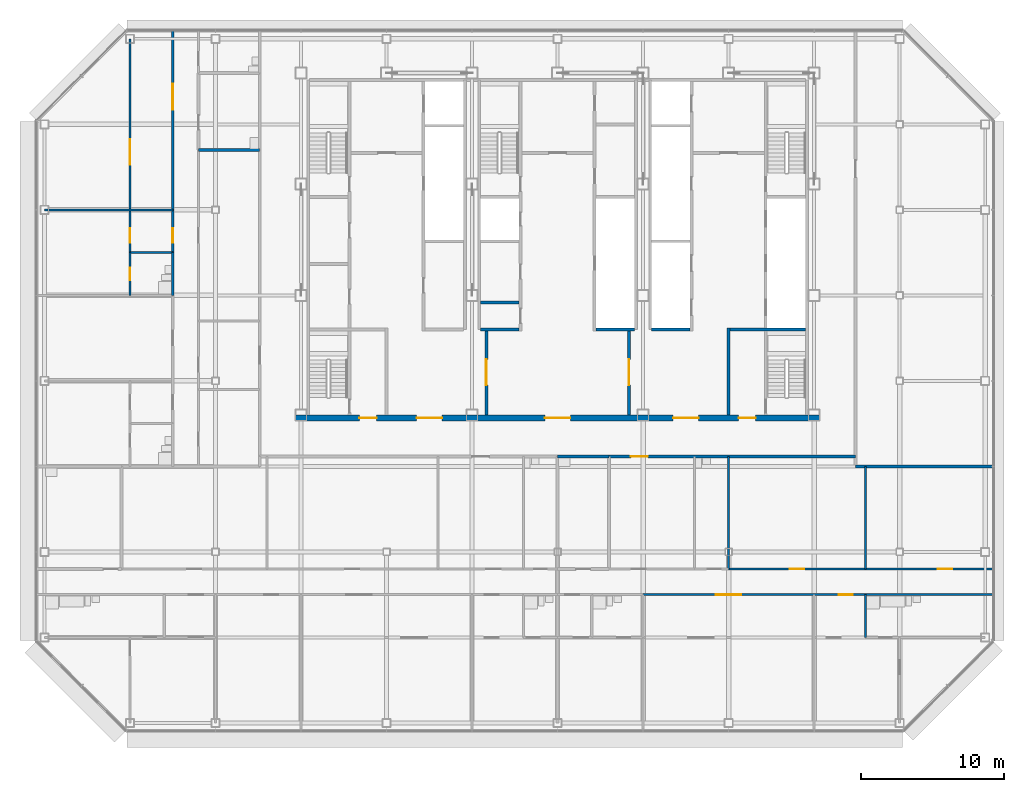
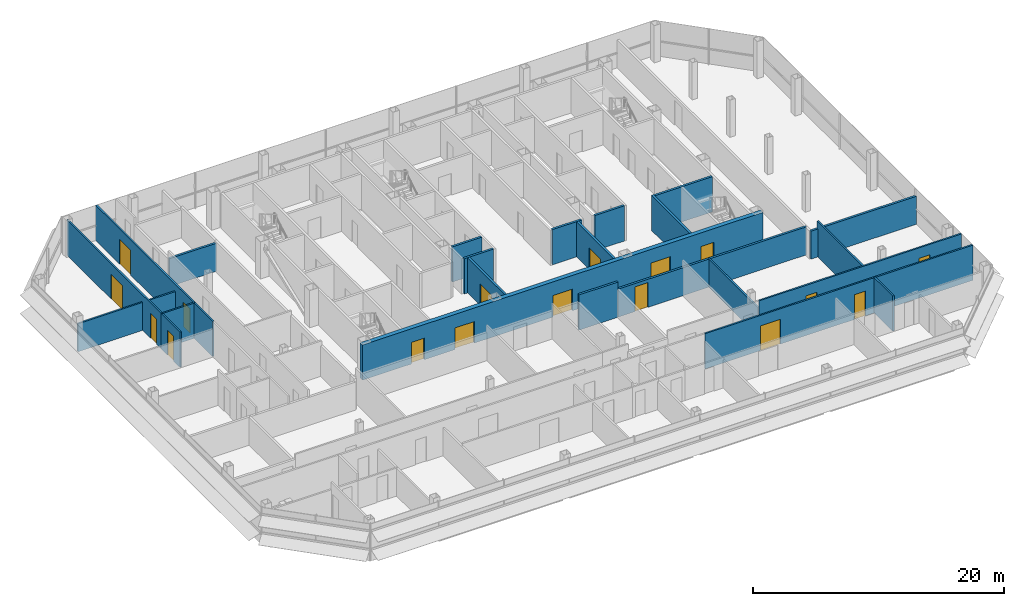
# One storey, part 23 of 28: 25 walls, 17 doors, 17 openings.
"""IFC4 building model written with IfcOpenShell, lengths in metres."""

from ifc_helpers import new_model, si_unit, direction, frame, frame_2d, origin, place, context, subcontext, project, spatial, rectangle, extrude, material, layer, layer_set, type_object, element, fill, save


model = new_model("IFC4")

# Units and contexts
model_context = context("Model", 3, precision=1e-05, world=origin(), true_north=direction((0.0, 1.0)))
body_context = subcontext(model_context, "Body", "Model", "MODEL_VIEW")
ifc_project = project(units=[si_unit("LENGTHUNIT", "METRE"), si_unit("AREAUNIT", "SQUARE_METRE"), si_unit("VOLUMEUNIT", "CUBIC_METRE"), si_unit("PLANEANGLEUNIT", "RADIAN"), si_unit("MASSUNIT", "GRAM", prefix="KILO")], contexts=[model_context])

# Site, building, storey
site_placement = place(None, origin())
site = spatial("IfcSite", under=ifc_project, at=site_placement, CompositionType="ELEMENT")
building_placement = place(site_placement, origin())
building = spatial("IfcBuilding", under=site, at=building_placement, Name="Sorahane Residences", CompositionType="ELEMENT")
storey_placement = place(building_placement, frame((0.0, 0.0, 270.199951171875)))
storey = spatial("IfcBuildingStorey", under=building, at=storey_placement, Name="L64", CompositionType="ELEMENT", Elevation=270.199951171875)

# Wall
ifc_material_1 = material(Name="Concrete blockwork C20 wall", Category="masonry")
ifc_layer_1 = layer(ifc_material_1, 0.199951171875)
ifc_layer_set_1 = layer_set([ifc_layer_1], Name="Corridor wall 200 EI 120")
wall_type_1 = type_object("IfcWallType", Name="Corridor wall 200 EI 120", PredefinedType="SOLIDWALL", material=ifc_layer_set_1)
wall_1_placement = place(storey_placement, frame((44.89990234375, 18.0, 0.0), z_axis=(0.0, 0.0, 1.0), x_axis=(1.0, 0.0, 0.0)))
element("IfcWall", 1, at=wall_1_placement, inside=storey, type_object=wall_type_1, Name="L64 corridor wall", PredefinedType="SOLIDWALL", context=body_context, shape_type="SweptSolid", body=[
    extrude(rectangle(XDim=9.7001953125, YDim=0.199951171875, at=frame_2d((4.85009765625, 0.0))), origin(), (0.0, 0.0, 1.0), 2.719970703125),
])

# Wall, opening, door
wall_2_placement = place(storey_placement, frame((27.60009765625, 18.699951171875, 0.0), z_axis=(0.0, 0.0, 1.0), x_axis=(1.0, 0.0, 0.0)))
wall_2 = element("IfcWall", 2, at=wall_2_placement, inside=storey, type_object=wall_type_1, Name="L64 corridor wall", PredefinedType="SOLIDWALL", context=body_context, shape_type="SweptSolid", body=[
    extrude(rectangle(XDim=17.2998046875, YDim=0.199951171875, at=frame_2d((8.64990234375, 0.0))), origin(), (0.0, 0.0, 1.0), 2.719970703125),
])
opening_1_placement = place(wall_2_placement, frame((1.5400390625, 0.0, 0.0)))
opening_1 = element("IfcOpeningElement", 3, at=opening_1_placement, cuts=wall_2, Name="Opening L64-45", PredefinedType="OPENING", context=body_context, shape_type="SweptSolid", body=[
    extrude(rectangle(XDim=1.199951171875, YDim=2.39990234375, at=frame_2d((0.60009765625, 1.199951171875))), frame((0.0, 0.10986328125, 0.0), z_axis=(0.0, -1.0, 0.0), x_axis=(1.0, 0.0, 0.0)), (0.0, 0.0, 1.0), 0.219970703125),
])
ifc_material_2 = material(Name="Timber veneered fire door", Category="wood")
door_type_1 = type_object("IfcDoorType", Name="Flat entrance door 1200x2400 FD60", OperationType="NOTDEFINED", PredefinedType="DOOR", material=ifc_material_2)
door_1_placement = place(opening_1_placement, frame((1.199951171875, 0.0, 0.0), z_axis=(0.0, 0.0, 1.0), x_axis=(-1.0, 0.0, 0.0)))
door_1 = element("IfcDoor", 4, at=door_1_placement, inside=storey, type_object=door_type_1, Name="Flat entrance door L64-45", OperationType="SINGLE_SWING_RIGHT", OverallHeight=2.39990234375, OverallWidth=1.199951171875, PredefinedType="DOOR", context=body_context, shape_type="SweptSolid", body=[
    extrude(rectangle(XDim=1.199951171875, YDim=2.39990234375, at=frame_2d((0.60009765625, 1.199951171875))), frame((0.0, 0.02490234375, 0.0), z_axis=(0.0, -1.0, 0.0), x_axis=(1.0, 0.0, 0.0)), (0.0, 0.0, 1.0), 0.050048828125),
])
fill(opening_1, door_1)

# Walls
ifc_material_3 = material(Name="Concrete C30", Category="concrete")
ifc_layer_2 = layer(ifc_material_3, 0.199951171875)
ifc_layer_set_2 = layer_set([ifc_layer_2], Name="Front room wall 200 EI 120")
wall_type_2 = type_object("IfcWallType", Name="Front room wall 200 EI 120", PredefinedType="PARTITIONING", material=ifc_layer_set_2)
wall_3_placement = place(storey_placement, frame((36.0, 21.60009765625, 0.0), z_axis=(0.0, 0.0, 1.0), x_axis=(0.0, 1.0, 0.0)))
element("IfcWall", 5, at=wall_3_placement, inside=storey, type_object=wall_type_2, Name="L64 front room wall", PredefinedType="PARTITIONING", context=body_context, shape_type="SweptSolid", body=[
    extrude(rectangle(XDim=6.099853515625, YDim=0.199951171875, at=frame_2d((3.0498046875, 0.0))), origin(), (0.0, 0.0, 1.0), 3.420166015625),
])
ifc_material_4 = material(Name="Concrete blockwork C20 wall", Category="masonry")
ifc_layer_3 = layer(ifc_material_4, 0.199951171875)
ifc_layer_set_3 = layer_set([ifc_layer_3], Name="Kitchen wall 200 EI 180")
wall_type_3 = type_object("IfcWallType", Name="Kitchen wall 200 EI 180", PredefinedType="SOLIDWALL", material=ifc_layer_set_3)
wall_4_placement = place(storey_placement, frame((24.0, 18.699951171875, 0.0), z_axis=(0.0, 0.0, 1.0), x_axis=(1.0, 0.0, 0.0)))
element("IfcWall", 6, at=wall_4_placement, inside=storey, type_object=wall_type_3, Name="L64 kitchen wall", PredefinedType="SOLIDWALL", context=body_context, shape_type="SweptSolid", body=[
    extrude(rectangle(XDim=3.60009765625, YDim=0.199951171875, at=frame_2d((1.800048828125, 0.0))), origin(), (0.0, 0.0, 1.0), 3.420166015625),
])
wall_5_placement = place(storey_placement, frame((-1.199951171875, 40.199951171875, 0.0), z_axis=(0.0, 0.0, 1.0), x_axis=(1.0, 0.0, 0.0)))
element("IfcWall", 7, at=wall_5_placement, inside=storey, type_object=wall_type_3, Name="L64 kitchen wall", PredefinedType="SOLIDWALL", context=body_context, shape_type="SweptSolid", body=[
    extrude(rectangle(XDim=4.300048828125, YDim=0.199951171875, at=frame_2d((2.14990234375, 0.0))), origin(), (0.0, 0.0, 1.0), 2.719970703125),
])
ifc_material_5 = material(Name="Concrete C30", Category="concrete")
ifc_layer_4 = layer(ifc_material_5, 0.199951171875)
ifc_layer_set_4 = layer_set([ifc_layer_4], Name="Lift shaft wall 200 EI 120")
wall_type_4 = type_object("IfcWallType", Name="Lift shaft wall 200 EI 120", PredefinedType="SOLIDWALL", material=ifc_layer_set_4)
wall_6_placement = place(storey_placement, frame((30.60009765625, 27.60009765625, 0.0), z_axis=(0.0, 0.0, 1.0), x_axis=(1.0, 0.0, 0.0)))
element("IfcWall", 8, at=wall_6_placement, inside=storey, type_object=wall_type_4, Name="L64 lift shaft wall", PredefinedType="SOLIDWALL", context=body_context, shape_type="SweptSolid", body=[
    extrude(rectangle(XDim=2.699951171875, YDim=0.199951171875, at=frame_2d((1.35009765625, 0.0))), origin(), (0.0, 0.0, 1.0), 3.420166015625),
])

# Wall, openings, doors
ifc_material_6 = material(Name="Gypsum board partition on steel studs", Category="steel")
ifc_layer_5 = layer(ifc_material_6, 0.14990234375)
ifc_layer_set_5 = layer_set([ifc_layer_5], Name="Partition 150 EI 90")
wall_type_5 = type_object("IfcWallType", Name="Partition 150 EI 90", PredefinedType="PARTITIONING", material=ifc_layer_set_5)
wall_7_placement = place(storey_placement, frame((-3.0, 33.0, 0.0), z_axis=(0.0, 0.0, 1.0), x_axis=(0.0, 1.0, 0.0)))
wall_7 = element("IfcWall", 9, at=wall_7_placement, inside=storey, type_object=wall_type_5, Name="L64 partition", PredefinedType="PARTITIONING", context=body_context, shape_type="SweptSolid", body=[
    extrude(rectangle(XDim=15.60009765625, YDim=0.14990234375, at=frame_2d((7.800048828125, 0.0))), origin(), (0.0, 0.0, 1.0), 3.420166015625),
])
opening_2_placement = place(wall_7_placement, frame((0.699951171875, 0.0, 0.0)))
opening_2 = element("IfcOpeningElement", 10, at=opening_2_placement, cuts=wall_7, Name="Opening L64-37", PredefinedType="OPENING", context=body_context, shape_type="SweptSolid", body=[
    extrude(rectangle(XDim=1.0, YDim=2.39990234375, at=frame_2d((0.5, 1.199951171875))), frame((0.0, 0.0849609375, 0.0), z_axis=(0.0, -1.0, 0.0), x_axis=(1.0, 0.0, 0.0)), (0.0, 0.0, 1.0), 0.169921875),
])
opening_3_placement = place(wall_7_placement, frame((10.0400390625, 0.0, 0.0)))
opening_3 = element("IfcOpeningElement", 11, at=opening_3_placement, cuts=wall_7, Name="Opening L64-38", PredefinedType="OPENING", context=body_context, shape_type="SweptSolid", body=[
    extrude(rectangle(XDim=1.800048828125, YDim=2.39990234375, at=frame_2d((0.89990234375, 1.199951171875))), frame((0.0, 0.0849609375, 0.0), z_axis=(0.0, -1.0, 0.0), x_axis=(1.0, 0.0, 0.0)), (0.0, 0.0, 1.0), 0.169921875),
])
ifc_material_7 = material(Name="Timber veneered fire door", Category="wood")
door_type_2 = type_object("IfcDoorType", Name="Double door 1800x2400 FD30", OperationType="NOTDEFINED", PredefinedType="DOOR", material=ifc_material_7)
door_2_placement = place(opening_3_placement, origin())
door_2 = element("IfcDoor", 12, at=door_2_placement, inside=storey, type_object=door_type_2, Name="Double door L64-38", OperationType="SINGLE_SWING_RIGHT", OverallHeight=2.39990234375, OverallWidth=1.800048828125, PredefinedType="DOOR", context=body_context, shape_type="SweptSolid", body=[
    extrude(rectangle(XDim=1.800048828125, YDim=2.39990234375, at=frame_2d((0.89990234375, 1.199951171875))), frame((0.0, 0.02490234375, 0.0), z_axis=(0.0, -1.0, 0.0), x_axis=(1.0, 0.0, 0.0)), (0.0, 0.0, 1.0), 0.050048828125),
])
fill(opening_3, door_2)
ifc_material_8 = material(Name="Timber veneered fire door", Category="wood")
door_type_3 = type_object("IfcDoorType", Name="Room door 1000x2400 FD30", OperationType="NOTDEFINED", PredefinedType="DOOR", material=ifc_material_8)
door_3_placement = place(opening_2_placement, origin())
door_3 = element("IfcDoor", 13, at=door_3_placement, inside=storey, type_object=door_type_3, Name="Room door L64-37", OperationType="SINGLE_SWING_LEFT", OverallHeight=2.39990234375, OverallWidth=1.0, PredefinedType="DOOR", context=body_context, shape_type="SweptSolid", body=[
    extrude(rectangle(XDim=1.0, YDim=2.39990234375, at=frame_2d((0.5, 1.199951171875))), frame((0.0, 0.02490234375, 0.0), z_axis=(0.0, -1.0, 0.0), x_axis=(1.0, 0.0, 0.0)), (0.0, 0.0, 1.0), 0.050048828125),
])
fill(opening_2, door_3)

wall_8_placement = place(storey_placement, frame((-6.0, 33.0, 0.0), z_axis=(0.0, 0.0, 1.0), x_axis=(0.0, 1.0, 0.0)))
wall_8 = element("IfcWall", 14, at=wall_8_placement, inside=storey, type_object=wall_type_5, Name="L64 partition", PredefinedType="PARTITIONING", context=body_context, shape_type="SweptSolid", body=[
    extrude(rectangle(XDim=15.0, YDim=0.14990234375, at=frame_2d((7.5, 0.0))), origin(), (0.0, 0.0, 1.0), 3.420166015625),
])
opening_4_placement = place(wall_8_placement, frame((0.699951171875, 0.0, 0.0)))
opening_4 = element("IfcOpeningElement", 15, at=opening_4_placement, cuts=wall_8, Name="Opening L64-41", PredefinedType="OPENING", context=body_context, shape_type="SweptSolid", body=[
    extrude(rectangle(XDim=1.0, YDim=2.39990234375, at=frame_2d((0.5, 1.199951171875))), frame((0.0, 0.0849609375, 0.0), z_axis=(0.0, -1.0, 0.0), x_axis=(1.0, 0.0, 0.0)), (0.0, 0.0, 1.0), 0.169921875),
])
opening_5_placement = place(wall_8_placement, frame((6.159912109375, 0.0, 0.0)))
opening_5 = element("IfcOpeningElement", 16, at=opening_5_placement, cuts=wall_8, Name="Opening L64-43", PredefinedType="OPENING", context=body_context, shape_type="SweptSolid", body=[
    extrude(rectangle(XDim=1.800048828125, YDim=2.39990234375, at=frame_2d((0.89990234375, 1.199951171875))), frame((0.0, 0.0849609375, 0.0), z_axis=(0.0, -1.0, 0.0), x_axis=(1.0, 0.0, 0.0)), (0.0, 0.0, 1.0), 0.169921875),
])
door_4_placement = place(opening_5_placement, origin())
door_4 = element("IfcDoor", 17, at=door_4_placement, inside=storey, type_object=door_type_2, Name="Double door L64-43", OperationType="SINGLE_SWING_RIGHT", OverallHeight=2.39990234375, OverallWidth=1.800048828125, PredefinedType="DOOR", context=body_context, shape_type="SweptSolid", body=[
    extrude(rectangle(XDim=1.800048828125, YDim=2.39990234375, at=frame_2d((0.89990234375, 1.199951171875))), frame((0.0, 0.02490234375, 0.0), z_axis=(0.0, -1.0, 0.0), x_axis=(1.0, 0.0, 0.0)), (0.0, 0.0, 1.0), 0.050048828125),
])
fill(opening_5, door_4)
door_5_placement = place(opening_4_placement, origin())
door_5 = element("IfcDoor", 18, at=door_5_placement, inside=storey, type_object=door_type_3, Name="Room door L64-41", OperationType="SINGLE_SWING_LEFT", OverallHeight=2.39990234375, OverallWidth=1.0, PredefinedType="DOOR", context=body_context, shape_type="SweptSolid", body=[
    extrude(rectangle(XDim=1.0, YDim=2.39990234375, at=frame_2d((0.5, 1.199951171875))), frame((0.0, 0.02490234375, 0.0), z_axis=(0.0, -1.0, 0.0), x_axis=(1.0, 0.0, 0.0)), (0.0, 0.0, 1.0), 0.050048828125),
])
fill(opening_4, door_5)

# Wall
wall_9_placement = place(storey_placement, frame((45.60009765625, 10.800048828125, 0.0), z_axis=(0.0, 0.0, 1.0), x_axis=(0.0, 1.0, 0.0)))
element("IfcWall", 19, at=wall_9_placement, inside=storey, type_object=wall_type_5, Name="L64 partition", PredefinedType="PARTITIONING", context=body_context, shape_type="SweptSolid", body=[
    extrude(rectangle(XDim=7.199951171875, YDim=0.14990234375, at=frame_2d((3.60009765625, 0.0))), origin(), (0.0, 0.0, 1.0), 3.420166015625),
])

# Wall, openings, doors
wall_10_placement = place(storey_placement, frame((36.0, 10.800048828125, 0.0), z_axis=(0.0, 0.0, 1.0), x_axis=(1.0, 0.0, 0.0)))
wall_10 = element("IfcWall", 20, at=wall_10_placement, inside=storey, type_object=wall_type_5, Name="L64 partition", PredefinedType="PARTITIONING", context=body_context, shape_type="SweptSolid", body=[
    extrude(rectangle(XDim=18.60009765625, YDim=0.14990234375, at=frame_2d((9.300048828125, 0.0))), origin(), (0.0, 0.0, 1.0), 3.420166015625),
])
opening_6_placement = place(wall_10_placement, frame((4.300048828125, 0.0, 0.0)))
opening_6 = element("IfcOpeningElement", 21, at=opening_6_placement, cuts=wall_10, Name="Opening L64-19", PredefinedType="OPENING", context=body_context, shape_type="SweptSolid", body=[
    extrude(rectangle(XDim=1.0, YDim=2.39990234375, at=frame_2d((0.5, 1.199951171875))), frame((0.0, 0.0849609375, 0.0), z_axis=(0.0, -1.0, 0.0), x_axis=(1.0, 0.0, 0.0)), (0.0, 0.0, 1.0), 0.169921875),
])
opening_7_placement = place(wall_10_placement, frame((14.679931640625, 0.0, 0.0)))
opening_7 = element("IfcOpeningElement", 22, at=opening_7_placement, cuts=wall_10, Name="Opening L64-20", PredefinedType="OPENING", context=body_context, shape_type="SweptSolid", body=[
    extrude(rectangle(XDim=1.0, YDim=2.39990234375, at=frame_2d((0.5, 1.199951171875))), frame((0.0, 0.0849609375, 0.0), z_axis=(0.0, -1.0, 0.0), x_axis=(1.0, 0.0, 0.0)), (0.0, 0.0, 1.0), 0.169921875),
])
door_6_placement = place(opening_6_placement, origin())
door_6 = element("IfcDoor", 23, at=door_6_placement, inside=storey, type_object=door_type_3, Name="Room door L64-19", OperationType="SINGLE_SWING_RIGHT", OverallHeight=2.39990234375, OverallWidth=1.0, PredefinedType="DOOR", context=body_context, shape_type="SweptSolid", body=[
    extrude(rectangle(XDim=1.0, YDim=2.39990234375, at=frame_2d((0.5, 1.199951171875))), frame((0.0, 0.02490234375, 0.0), z_axis=(0.0, -1.0, 0.0), x_axis=(1.0, 0.0, 0.0)), (0.0, 0.0, 1.0), 0.050048828125),
])
fill(opening_6, door_6)
door_7_placement = place(opening_7_placement, origin())
door_7 = element("IfcDoor", 24, at=door_7_placement, inside=storey, type_object=door_type_3, Name="Room door L64-20", OperationType="SINGLE_SWING_RIGHT", OverallHeight=2.39990234375, OverallWidth=1.0, PredefinedType="DOOR", context=body_context, shape_type="SweptSolid", body=[
    extrude(rectangle(XDim=1.0, YDim=2.39990234375, at=frame_2d((0.5, 1.199951171875))), frame((0.0, 0.02490234375, 0.0), z_axis=(0.0, -1.0, 0.0), x_axis=(1.0, 0.0, 0.0)), (0.0, 0.0, 1.0), 0.050048828125),
])
fill(opening_7, door_7)

# Wall
wall_11_placement = place(storey_placement, frame((-12.0, 36.0, 0.0), z_axis=(0.0, 0.0, 1.0), x_axis=(1.0, 0.0, 0.0)))
element("IfcWall", 25, at=wall_11_placement, inside=storey, type_object=wall_type_5, Name="L64 partition", PredefinedType="PARTITIONING", context=body_context, shape_type="SweptSolid", body=[
    extrude(rectangle(XDim=9.0, YDim=0.14990234375, at=frame_2d((4.5, 0.0))), origin(), (0.0, 0.0, 1.0), 2.719970703125),
])

# Wall, openings, doors
wall_12_placement = place(storey_placement, frame((30.0, 9.0, 0.0), z_axis=(0.0, 0.0, 1.0), x_axis=(1.0, 0.0, 0.0)))
wall_12 = element("IfcWall", 26, at=wall_12_placement, inside=storey, type_object=wall_type_5, Name="L64 partition", PredefinedType="PARTITIONING", context=body_context, shape_type="SweptSolid", body=[
    extrude(rectangle(XDim=15.60009765625, YDim=0.14990234375, at=frame_2d((7.800048828125, 0.0))), origin(), (0.0, 0.0, 1.0), 3.420166015625),
])
opening_8_placement = place(wall_12_placement, frame((5.10009765625, 0.0, 0.0)))
opening_8 = element("IfcOpeningElement", 27, at=opening_8_placement, cuts=wall_12, Name="Opening L64-22", PredefinedType="OPENING", context=body_context, shape_type="SweptSolid", body=[
    extrude(rectangle(XDim=1.800048828125, YDim=2.39990234375, at=frame_2d((0.89990234375, 1.199951171875))), frame((0.0, 0.0849609375, 0.0), z_axis=(0.0, -1.0, 0.0), x_axis=(1.0, 0.0, 0.0)), (0.0, 0.0, 1.0), 0.169921875),
])
opening_9_placement = place(wall_12_placement, frame((13.719970703125, 0.0, 0.0)))
opening_9 = element("IfcOpeningElement", 28, at=opening_9_placement, cuts=wall_12, Name="Opening L64-23", PredefinedType="OPENING", context=body_context, shape_type="SweptSolid", body=[
    extrude(rectangle(XDim=1.0, YDim=2.39990234375, at=frame_2d((0.5, 1.199951171875))), frame((0.0, 0.0849609375, 0.0), z_axis=(0.0, -1.0, 0.0), x_axis=(1.0, 0.0, 0.0)), (0.0, 0.0, 1.0), 0.169921875),
])
door_8_placement = place(opening_8_placement, frame((1.800048828125, 0.0, 0.0), z_axis=(0.0, 0.0, 1.0), x_axis=(-1.0, 0.0, 0.0)))
door_8 = element("IfcDoor", 29, at=door_8_placement, inside=storey, type_object=door_type_2, Name="Double door L64-22", OperationType="SINGLE_SWING_RIGHT", OverallHeight=2.39990234375, OverallWidth=1.800048828125, PredefinedType="DOOR", context=body_context, shape_type="SweptSolid", body=[
    extrude(rectangle(XDim=1.800048828125, YDim=2.39990234375, at=frame_2d((0.89990234375, 1.199951171875))), frame((0.0, 0.02490234375, 0.0), z_axis=(0.0, -1.0, 0.0), x_axis=(1.0, 0.0, 0.0)), (0.0, 0.0, 1.0), 0.050048828125),
])
fill(opening_8, door_8)
door_9_placement = place(opening_9_placement, frame((1.0, 0.0, 0.0), z_axis=(0.0, 0.0, 1.0), x_axis=(-1.0, 0.0, 0.0)))
door_9 = element("IfcDoor", 30, at=door_9_placement, inside=storey, type_object=door_type_3, Name="Room door L64-23", OperationType="SINGLE_SWING_LEFT", OverallHeight=2.39990234375, OverallWidth=1.0, PredefinedType="DOOR", context=body_context, shape_type="SweptSolid", body=[
    extrude(rectangle(XDim=1.0, YDim=2.39990234375, at=frame_2d((0.5, 1.199951171875))), frame((0.0, 0.02490234375, 0.0), z_axis=(0.0, -1.0, 0.0), x_axis=(1.0, 0.0, 0.0)), (0.0, 0.0, 1.0), 0.050048828125),
])
fill(opening_9, door_9)

# Wall
ifc_material_9 = material(Name="Concrete C30", Category="concrete")
ifc_layer_6 = layer(ifc_material_9, 0.199951171875)
ifc_layer_set_6 = layer_set([ifc_layer_6], Name="Riser shaft wall 200 EI 120")
wall_type_6 = type_object("IfcWallType", Name="Riser shaft wall 200 EI 120", PredefinedType="SOLIDWALL", material=ifc_layer_set_6)
wall_13_placement = place(storey_placement, frame((26.699951171875, 27.60009765625, 0.0), z_axis=(0.0, 0.0, 1.0), x_axis=(1.0, 0.0, 0.0)))
element("IfcWall", 31, at=wall_13_placement, inside=storey, type_object=wall_type_6, Name="L64 riser wall", PredefinedType="SOLIDWALL", context=body_context, shape_type="SweptSolid", body=[
    extrude(rectangle(XDim=2.699951171875, YDim=0.199951171875, at=frame_2d((1.35009765625, 0.0))), origin(), (0.0, 0.0, 1.0), 3.420166015625),
])

# Wall, opening, door
ifc_material_10 = material(Name="Concrete C30", Category="concrete")
ifc_layer_7 = layer(ifc_material_10, 0.199951171875)
ifc_layer_set_7 = layer_set([ifc_layer_7], Name="Service room partition 200 EI 60")
wall_type_7 = type_object("IfcWallType", Name="Service room partition 200 EI 60", PredefinedType="PARTITIONING", material=ifc_layer_set_7)
wall_14_placement = place(storey_placement, frame((19.0, 21.60009765625, 0.0), z_axis=(0.0, 0.0, 1.0), x_axis=(0.0, 1.0, 0.0)))
wall_14 = element("IfcWall", 32, at=wall_14_placement, inside=storey, type_object=wall_type_7, Name="L64 service room wall", PredefinedType="PARTITIONING", context=body_context, shape_type="SweptSolid", body=[
    extrude(rectangle(XDim=6.0, YDim=0.199951171875, at=frame_2d((3.0, 0.0))), origin(), (0.0, 0.0, 1.0), 3.420166015625),
])
opening_10_placement = place(wall_14_placement, frame((2.10009765625, 0.0, 0.0)))
opening_10 = element("IfcOpeningElement", 33, at=opening_10_placement, cuts=wall_14, Name="Opening L64-C02", PredefinedType="OPENING", context=body_context, shape_type="SweptSolid", body=[
    extrude(rectangle(XDim=1.800048828125, YDim=2.10009765625, at=frame_2d((0.89990234375, 1.050048828125))), frame((0.0, 0.10986328125, 0.0), z_axis=(0.0, -1.0, 0.0), x_axis=(1.0, 0.0, 0.0)), (0.0, 0.0, 1.0), 0.219970703125),
])
ifc_material_11 = material(Name="Steel", Category="steel")
door_type_4 = type_object("IfcDoorType", Name="Waiting hall door 1800x2100 FD60", OperationType="NOTDEFINED", PredefinedType="DOOR", material=ifc_material_11)
door_10_placement = place(opening_10_placement, origin())
door_10 = element("IfcDoor", 34, at=door_10_placement, inside=storey, type_object=door_type_4, Name="Waiting hall door Residents' waiting hall west L64", OperationType="SINGLE_SWING_LEFT", OverallHeight=2.10009765625, OverallWidth=1.800048828125, PredefinedType="DOOR", context=body_context, shape_type="SweptSolid", body=[
    extrude(rectangle(XDim=1.800048828125, YDim=2.10009765625, at=frame_2d((0.89990234375, 1.050048828125))), frame((0.0, 0.02490234375, 0.0), z_axis=(0.0, -1.0, 0.0), x_axis=(1.0, 0.0, 0.0)), (0.0, 0.0, 1.0), 0.050048828125),
])
fill(opening_10, door_10)

wall_15_placement = place(storey_placement, frame((29.0, 21.60009765625, 0.0), z_axis=(0.0, 0.0, 1.0), x_axis=(0.0, 1.0, 0.0)))
wall_15 = element("IfcWall", 35, at=wall_15_placement, inside=storey, type_object=wall_type_7, Name="L64 service room wall", PredefinedType="PARTITIONING", context=body_context, shape_type="SweptSolid", body=[
    extrude(rectangle(XDim=6.0, YDim=0.199951171875, at=frame_2d((3.0, 0.0))), origin(), (0.0, 0.0, 1.0), 3.420166015625),
])
opening_11_placement = place(wall_15_placement, frame((2.10009765625, 0.0, 0.0)))
opening_11 = element("IfcOpeningElement", 36, at=opening_11_placement, cuts=wall_15, Name="Opening L64-C04", PredefinedType="OPENING", context=body_context, shape_type="SweptSolid", body=[
    extrude(rectangle(XDim=1.800048828125, YDim=2.10009765625, at=frame_2d((0.89990234375, 1.050048828125))), frame((0.0, 0.10986328125, 0.0), z_axis=(0.0, -1.0, 0.0), x_axis=(1.0, 0.0, 0.0)), (0.0, 0.0, 1.0), 0.219970703125),
])
door_11_placement = place(opening_11_placement, origin())
door_11 = element("IfcDoor", 37, at=door_11_placement, inside=storey, type_object=door_type_4, Name="Waiting hall door Residents' waiting hall centre L64", OperationType="SINGLE_SWING_LEFT", OverallHeight=2.10009765625, OverallWidth=1.800048828125, PredefinedType="DOOR", context=body_context, shape_type="SweptSolid", body=[
    extrude(rectangle(XDim=1.800048828125, YDim=2.10009765625, at=frame_2d((0.89990234375, 1.050048828125))), frame((0.0, 0.02490234375, 0.0), z_axis=(0.0, -1.0, 0.0), x_axis=(1.0, 0.0, 0.0)), (0.0, 0.0, 1.0), 0.050048828125),
])
fill(opening_11, door_11)

# Walls
for number, where, z_axis, x_axis, name in (
    (38, (18.60009765625, 27.60009765625, 0.0), (0.0, 0.0, 1.0), (1.0, 0.0, 0.0), "L64 service room wall"),
    (39, (18.60009765625, 29.5, 0.0), (0.0, 0.0, 1.0), (1.0, 0.0, 0.0), "L64 service room wall"),
):
    element("IfcWall", number, at=place(storey_placement, frame(where, z_axis=z_axis, x_axis=x_axis)), inside=storey, type_object=wall_type_7, Name=name, PredefinedType="PARTITIONING", context=body_context, shape_type="SweptSolid", body=[
        extrude(rectangle(XDim=2.699951171875, YDim=0.199951171875, at=frame_2d((1.35009765625, 0.0))), origin(), (0.0, 0.0, 1.0), 3.420166015625),
    ])
ifc_material_12 = material(Name="Concrete C30", Category="concrete")
ifc_layer_8 = layer(ifc_material_12, 0.199951171875)
ifc_layer_set_8 = layer_set([ifc_layer_8], Name="Stair enclosure wall 200 EI 120")
wall_type_8 = type_object("IfcWallType", Name="Stair enclosure wall 200 EI 120", PredefinedType="SOLIDWALL", material=ifc_layer_set_8)
wall_16_placement = place(storey_placement, frame((36.10009765625, 27.60009765625, 0.0), z_axis=(0.0, 0.0, 1.0), x_axis=(1.0, 0.0, 0.0)))
element("IfcWall", 40, at=wall_16_placement, inside=storey, type_object=wall_type_8, Name="L64 stair enclosure wall", PredefinedType="SOLIDWALL", context=body_context, shape_type="SweptSolid", body=[
    extrude(rectangle(XDim=5.2998046875, YDim=0.199951171875, at=frame_2d((2.64990234375, 0.0))), origin(), (0.0, 0.0, 1.0), 3.420166015625),
])

# Wall, openings, doors
ifc_material_13 = material(Name="Concrete C30", Category="concrete")
ifc_layer_9 = layer(ifc_material_13, 0.39990234375)
ifc_layer_set_9 = layer_set([ifc_layer_9], Name="Waiting hall wall 400 EI 120")
wall_type_9 = type_object("IfcWallType", Name="Waiting hall wall 400 EI 120", PredefinedType="SOLIDWALL", material=ifc_layer_set_9)
wall_17_placement = place(storey_placement, frame((5.60009765625, 21.39990234375, 0.0), z_axis=(0.0, 0.0, 1.0), x_axis=(1.0, 0.0, 0.0)))
wall_17 = element("IfcWall", 41, at=wall_17_placement, inside=storey, type_object=wall_type_9, Name="L64 waiting hall wall", PredefinedType="SOLIDWALL", context=body_context, shape_type="SweptSolid", body=[
    extrude(rectangle(XDim=36.7998046875, YDim=0.39990234375, at=frame_2d((18.39990234375, 0.0))), origin(), (0.0, 0.0, 1.0), 3.420166015625),
])
opening_12_placement = place(wall_17_placement, frame((8.5, 0.0, 0.0)))
opening_12 = element("IfcOpeningElement", 42, at=opening_12_placement, cuts=wall_17, Name="Opening L64-C01", PredefinedType="OPENING", context=body_context, shape_type="SweptSolid", body=[
    extrude(rectangle(XDim=1.800048828125, YDim=2.10009765625, at=frame_2d((0.89990234375, 1.050048828125))), frame((0.0, 0.2099609375, 0.0), z_axis=(0.0, -1.0, 0.0), x_axis=(1.0, 0.0, 0.0)), (0.0, 0.0, 1.0), 0.419921875),
])
opening_13_placement = place(wall_17_placement, frame((17.5, 0.0, 0.0)))
opening_13 = element("IfcOpeningElement", 43, at=opening_13_placement, cuts=wall_17, Name="Opening L64-C03", PredefinedType="OPENING", context=body_context, shape_type="SweptSolid", body=[
    extrude(rectangle(XDim=1.800048828125, YDim=2.10009765625, at=frame_2d((0.89990234375, 1.050048828125))), frame((0.0, 0.2099609375, 0.0), z_axis=(0.0, -1.0, 0.0), x_axis=(1.0, 0.0, 0.0)), (0.0, 0.0, 1.0), 0.419921875),
])
opening_14_placement = place(wall_17_placement, frame((26.5, 0.0, 0.0)))
opening_14 = element("IfcOpeningElement", 44, at=opening_14_placement, cuts=wall_17, Name="Opening L64-C05", PredefinedType="OPENING", context=body_context, shape_type="SweptSolid", body=[
    extrude(rectangle(XDim=1.800048828125, YDim=2.10009765625, at=frame_2d((0.89990234375, 1.050048828125))), frame((0.0, 0.2099609375, 0.0), z_axis=(0.0, -1.0, 0.0), x_axis=(1.0, 0.0, 0.0)), (0.0, 0.0, 1.0), 0.419921875),
])
opening_15_placement = place(wall_17_placement, frame((4.5, 0.0, 0.0)))
opening_15 = element("IfcOpeningElement", 45, at=opening_15_placement, cuts=wall_17, Name="Opening L64-C06", PredefinedType="OPENING", context=body_context, shape_type="SweptSolid", body=[
    extrude(rectangle(XDim=1.199951171875, YDim=2.10009765625, at=frame_2d((0.60009765625, 1.050048828125))), frame((0.0, 0.2099609375, 0.0), z_axis=(0.0, -1.0, 0.0), x_axis=(1.0, 0.0, 0.0)), (0.0, 0.0, 1.0), 0.419921875),
])
opening_16_placement = place(wall_17_placement, frame((31.10009765625, 0.0, 0.0)))
opening_16 = element("IfcOpeningElement", 46, at=opening_16_placement, cuts=wall_17, Name="Opening L64-C07", PredefinedType="OPENING", context=body_context, shape_type="SweptSolid", body=[
    extrude(rectangle(XDim=1.199951171875, YDim=2.10009765625, at=frame_2d((0.60009765625, 1.050048828125))), frame((0.0, 0.2099609375, 0.0), z_axis=(0.0, -1.0, 0.0), x_axis=(1.0, 0.0, 0.0)), (0.0, 0.0, 1.0), 0.419921875),
])
ifc_material_14 = material(Name="Steel", Category="steel")
door_type_5 = type_object("IfcDoorType", Name="Stair front room door 1200x2100 FD120", OperationType="NOTDEFINED", PredefinedType="DOOR", material=ifc_material_14)
door_12_placement = place(opening_15_placement, frame((1.199951171875, 0.0, 0.0), z_axis=(0.0, 0.0, 1.0), x_axis=(-1.0, 0.0, 0.0)))
door_12 = element("IfcDoor", 47, at=door_12_placement, inside=storey, type_object=door_type_5, Name="Stair front room door Stair S4 front room L64", OperationType="SINGLE_SWING_LEFT", OverallHeight=2.10009765625, OverallWidth=1.199951171875, PredefinedType="DOOR", context=body_context, shape_type="SweptSolid", body=[
    extrude(rectangle(XDim=1.199951171875, YDim=2.10009765625, at=frame_2d((0.60009765625, 1.050048828125))), frame((0.0, 0.02490234375, 0.0), z_axis=(0.0, -1.0, 0.0), x_axis=(1.0, 0.0, 0.0)), (0.0, 0.0, 1.0), 0.050048828125),
])
fill(opening_15, door_12)
door_13_placement = place(opening_16_placement, frame((1.199951171875, 0.0, 0.0), z_axis=(0.0, 0.0, 1.0), x_axis=(-1.0, 0.0, 0.0)))
door_13 = element("IfcDoor", 48, at=door_13_placement, inside=storey, type_object=door_type_5, Name="Stair front room door Stair S5 front room L64", OperationType="SINGLE_SWING_LEFT", OverallHeight=2.10009765625, OverallWidth=1.199951171875, PredefinedType="DOOR", context=body_context, shape_type="SweptSolid", body=[
    extrude(rectangle(XDim=1.199951171875, YDim=2.10009765625, at=frame_2d((0.60009765625, 1.050048828125))), frame((0.0, 0.02490234375, 0.0), z_axis=(0.0, -1.0, 0.0), x_axis=(1.0, 0.0, 0.0)), (0.0, 0.0, 1.0), 0.050048828125),
])
fill(opening_16, door_13)
door_14_placement = place(opening_12_placement, frame((1.800048828125, 0.0, 0.0), z_axis=(0.0, 0.0, 1.0), x_axis=(-1.0, 0.0, 0.0)))
door_14 = element("IfcDoor", 49, at=door_14_placement, inside=storey, type_object=door_type_4, Name="Waiting hall door Residents' waiting hall west L64", OperationType="SINGLE_SWING_LEFT", OverallHeight=2.10009765625, OverallWidth=1.800048828125, PredefinedType="DOOR", context=body_context, shape_type="SweptSolid", body=[
    extrude(rectangle(XDim=1.800048828125, YDim=2.10009765625, at=frame_2d((0.89990234375, 1.050048828125))), frame((0.0, 0.02490234375, 0.0), z_axis=(0.0, -1.0, 0.0), x_axis=(1.0, 0.0, 0.0)), (0.0, 0.0, 1.0), 0.050048828125),
])
fill(opening_12, door_14)
door_15_placement = place(opening_13_placement, frame((1.800048828125, 0.0, 0.0), z_axis=(0.0, 0.0, 1.0), x_axis=(-1.0, 0.0, 0.0)))
door_15 = element("IfcDoor", 50, at=door_15_placement, inside=storey, type_object=door_type_4, Name="Waiting hall door Residents' waiting hall centre L64", OperationType="SINGLE_SWING_LEFT", OverallHeight=2.10009765625, OverallWidth=1.800048828125, PredefinedType="DOOR", context=body_context, shape_type="SweptSolid", body=[
    extrude(rectangle(XDim=1.800048828125, YDim=2.10009765625, at=frame_2d((0.89990234375, 1.050048828125))), frame((0.0, 0.02490234375, 0.0), z_axis=(0.0, -1.0, 0.0), x_axis=(1.0, 0.0, 0.0)), (0.0, 0.0, 1.0), 0.050048828125),
])
fill(opening_13, door_15)
door_16_placement = place(opening_14_placement, frame((1.800048828125, 0.0, 0.0), z_axis=(0.0, 0.0, 1.0), x_axis=(-1.0, 0.0, 0.0)))
door_16 = element("IfcDoor", 51, at=door_16_placement, inside=storey, type_object=door_type_4, Name="Waiting hall door Residents' waiting hall east L64", OperationType="SINGLE_SWING_LEFT", OverallHeight=2.10009765625, OverallWidth=1.800048828125, PredefinedType="DOOR", context=body_context, shape_type="SweptSolid", body=[
    extrude(rectangle(XDim=1.800048828125, YDim=2.10009765625, at=frame_2d((0.89990234375, 1.050048828125))), frame((0.0, 0.02490234375, 0.0), z_axis=(0.0, -1.0, 0.0), x_axis=(1.0, 0.0, 0.0)), (0.0, 0.0, 1.0), 0.050048828125),
])
fill(opening_14, door_16)

# Wall
ifc_material_15 = material(Name="Gypsum board partition on steel studs", Category="steel")
ifc_layer_10 = layer(ifc_material_15, 0.14990234375)
ifc_layer_set_10 = layer_set([ifc_layer_10], Name="Wet wall 150 EI 90")
wall_type_10 = type_object("IfcWallType", Name="Wet wall 150 EI 90", PredefinedType="PARTITIONING", material=ifc_layer_set_10)
wall_18_placement = place(storey_placement, frame((-3.0, 30.0, 0.0), z_axis=(0.0, 0.0, 1.0), x_axis=(0.0, 1.0, 0.0)))
element("IfcWall", 52, at=wall_18_placement, inside=storey, type_object=wall_type_10, Name="L64 wet wall", PredefinedType="PARTITIONING", context=body_context, shape_type="SweptSolid", body=[
    extrude(rectangle(XDim=3.0, YDim=0.14990234375, at=frame_2d((1.5, 0.0))), origin(), (0.0, 0.0, 1.0), 3.420166015625),
])

# Wall, opening, door
wall_19_placement = place(storey_placement, frame((-6.0, 30.0, 0.0), z_axis=(0.0, 0.0, 1.0), x_axis=(0.0, 1.0, 0.0)))
wall_19 = element("IfcWall", 53, at=wall_19_placement, inside=storey, type_object=wall_type_10, Name="L64 wet wall", PredefinedType="PARTITIONING", context=body_context, shape_type="SweptSolid", body=[
    extrude(rectangle(XDim=3.0, YDim=0.14990234375, at=frame_2d((1.5, 0.0))), origin(), (0.0, 0.0, 1.0), 3.420166015625),
])
opening_17_placement = place(wall_19_placement, frame((1.050048828125, 0.0, 0.0)))
opening_17 = element("IfcOpeningElement", 54, at=opening_17_placement, cuts=wall_19, Name="Opening L64-42", PredefinedType="OPENING", context=body_context, shape_type="SweptSolid", body=[
    extrude(rectangle(XDim=0.89990234375, YDim=2.39990234375, at=frame_2d((0.449951171875, 1.199951171875))), frame((0.0, 0.0849609375, 0.0), z_axis=(0.0, -1.0, 0.0), x_axis=(1.0, 0.0, 0.0)), (0.0, 0.0, 1.0), 0.169921875),
])
ifc_material_16 = material(Name="Timber veneered fire door", Category="wood")
door_type_6 = type_object("IfcDoorType", Name="Bathroom door 900x2400 FD30", OperationType="NOTDEFINED", PredefinedType="DOOR", material=ifc_material_16)
door_17_placement = place(opening_17_placement, origin())
door_17 = element("IfcDoor", 55, at=door_17_placement, inside=storey, type_object=door_type_6, Name="Bathroom door L64-42", OperationType="SINGLE_SWING_RIGHT", OverallHeight=2.39990234375, OverallWidth=0.89990234375, PredefinedType="DOOR", context=body_context, shape_type="SweptSolid", body=[
    extrude(rectangle(XDim=0.89990234375, YDim=2.39990234375, at=frame_2d((0.449951171875, 1.199951171875))), frame((0.0, 0.02490234375, 0.0), z_axis=(0.0, -1.0, 0.0), x_axis=(1.0, 0.0, 0.0)), (0.0, 0.0, 1.0), 0.050048828125),
])
fill(opening_17, door_17)

# Walls
wall_20_placement = place(storey_placement, frame((36.0, 10.800048828125, 0.0), z_axis=(0.0, 0.0, 1.0), x_axis=(0.0, 1.0, 0.0)))
element("IfcWall", 56, at=wall_20_placement, inside=storey, type_object=wall_type_10, Name="L64 wet wall", PredefinedType="PARTITIONING", context=body_context, shape_type="SweptSolid", body=[
    extrude(rectangle(XDim=7.89990234375, YDim=0.14990234375, at=frame_2d((3.949951171875, 0.0))), origin(), (0.0, 0.0, 1.0), 2.719970703125),
])
for number, where, z_axis, x_axis, name in (
    (57, (45.60009765625, 6.0, 0.0), (0.0, 0.0, 1.0), (0.0, 1.0, 0.0), "L64 wet wall"),
    (58, (-6.0, 33.0, 0.0), (0.0, 0.0, 1.0), (1.0, 0.0, 0.0), "L64 wet wall"),
):
    element("IfcWall", number, at=place(storey_placement, frame(where, z_axis=z_axis, x_axis=x_axis)), inside=storey, type_object=wall_type_10, Name=name, PredefinedType="PARTITIONING", context=body_context, shape_type="SweptSolid", body=[
        extrude(rectangle(XDim=3.0, YDim=0.14990234375, at=frame_2d((1.5, 0.0))), origin(), (0.0, 0.0, 1.0), 3.420166015625),
    ])
wall_21_placement = place(storey_placement, frame((45.60009765625, 9.0, 0.0), z_axis=(0.0, 0.0, 1.0), x_axis=(1.0, 0.0, 0.0)))
element("IfcWall", 59, at=wall_21_placement, inside=storey, type_object=wall_type_10, Name="L64 wet wall", PredefinedType="PARTITIONING", context=body_context, shape_type="SweptSolid", body=[
    extrude(rectangle(XDim=9.0, YDim=0.14990234375, at=frame_2d((4.5, 0.0))), origin(), (0.0, 0.0, 1.0), 3.420166015625),
])

save(model, "model.ifc")
